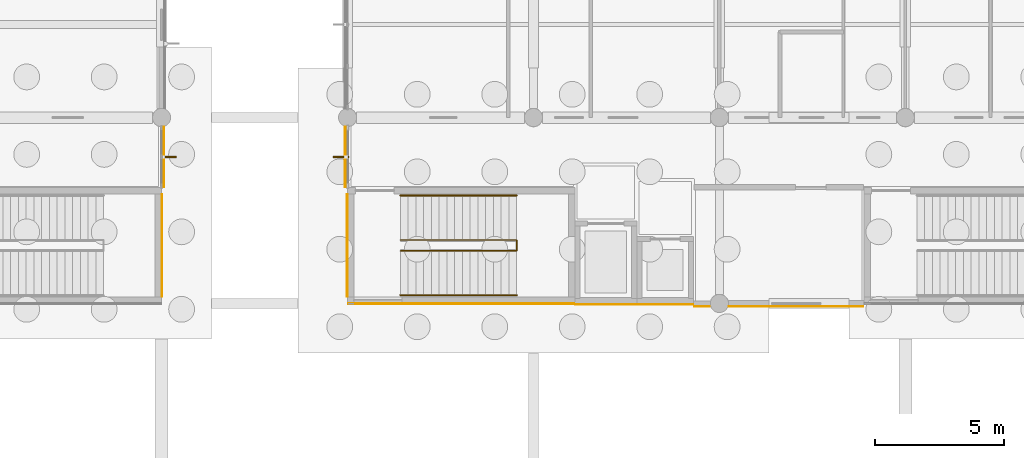
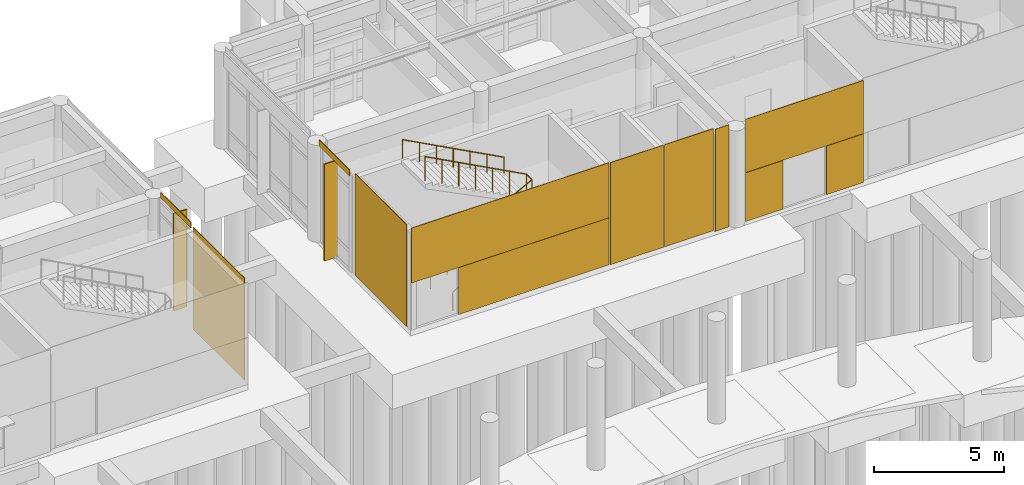
# One storey, part 95 of 103: 12 coverings, 3 railings, 2 shading devices.
"""IFC4 building model written with IfcOpenShell, lengths in metres."""

from ifc_helpers import new_model, si_unit, direction, frame, origin, origin_2d, place, context, subcontext, project, spatial, rectangle, circle, extrude, material, layer, layer_set, type_object, element, save


model = new_model("IFC4")

# Units and contexts
model_context = context("Model", 3, precision=1e-05, world=origin(), true_north=direction((0.0, 1.0)))
body_context = subcontext(model_context, "Body", "Model", "MODEL_VIEW")
ifc_project = project(units=[si_unit("LENGTHUNIT", "METRE"), si_unit("AREAUNIT", "SQUARE_METRE"), si_unit("VOLUMEUNIT", "CUBIC_METRE"), si_unit("PLANEANGLEUNIT", "RADIAN"), si_unit("MASSUNIT", "GRAM", prefix="KILO")], contexts=[model_context])

# Site, building, storey
site_placement = place(None, origin())
site = spatial("IfcSite", under=ifc_project, at=site_placement, CompositionType="ELEMENT")
building_placement = place(site_placement, origin())
building = spatial("IfcBuilding", under=site, at=building_placement, Name="Namkhue Oval Health Centre", CompositionType="ELEMENT")
storey_placement = place(building_placement, origin())
storey = spatial("IfcBuildingStorey", under=building, at=storey_placement, Name="L00", CompositionType="ELEMENT", Elevation=0.0)

# Railings
ifc_material_1 = material(Name="Brushed stainless steel 316L balustrade with laminated glass infill", Category="steel")
railing_type_1 = type_object("IfcRailingType", Name="INTERIOR BALUSTRADE GUARD 1150", PredefinedType="BALUSTRADE", material=ifc_material_1)
railing_1_placement = place(storey_placement, frame((95.64990234375, 92.0400390625, 0.0)))
element("IfcRailing", 1, at=railing_1_placement, inside=storey, type_object=railing_type_1, Name="Stair ST-05 L00 Inner Well Guard", PredefinedType="BALUSTRADE", context=body_context, shape_type="SweptSolid", body=[
    extrude(circle(Radius=0.02392578125, at=origin_2d()), frame((0.0, 0.0, 1.1259765625), z_axis=(0.882360891967, 0.0, 0.470573327259), x_axis=(0.0, 1.0, 0.0)), (0.0, 0.0, 1.0), 5.099853515625),
    extrude(circle(Radius=0.02392578125, at=origin_2d()), frame((4.5, 0.0, 3.52587890625), z_axis=(0.0, 1.0, 0.0), x_axis=(-1.0, 0.0, 0.0)), (0.0, 0.0, 1.0), 0.419921875),
    extrude(circle(Radius=0.02392578125, at=origin_2d()), frame((4.5, 0.419921875, 3.52587890625), z_axis=(-0.882341014787, 0.0, 0.470610596591), x_axis=(0.0, -1.0, 0.0)), (0.0, 0.0, 1.0), 5.10009765625),
    extrude(circle(Radius=0.02099609375, at=origin_2d()), origin(), (0.0, 0.0, 1.0), 1.101806640625),
    extrude(circle(Radius=0.02099609375, at=origin_2d()), frame((0.75, 0.0, 0.39990234375)), (0.0, 0.0, 1.0), 1.101806640625),
    extrude(circle(Radius=0.02099609375, at=origin_2d()), frame((1.5, 0.0, 0.800048828125)), (0.0, 0.0, 1.0), 1.101806640625),
    extrude(circle(Radius=0.02099609375, at=origin_2d()), frame((2.25, 0.0, 1.199951171875)), (0.0, 0.0, 1.0), 1.101806640625),
    extrude(circle(Radius=0.02099609375, at=origin_2d()), frame((3.0, 0.0, 1.599853515625)), (0.0, 0.0, 1.0), 1.101806640625),
    extrude(circle(Radius=0.02099609375, at=origin_2d()), frame((3.75, 0.0, 2.0)), (0.0, 0.0, 1.0), 1.101806640625),
    extrude(circle(Radius=0.02099609375, at=origin_2d()), frame((4.5, 0.0, 2.39990234375)), (0.0, 0.0, 1.0), 1.101806640625),
    extrude(circle(Radius=0.02099609375, at=origin_2d()), frame((4.5, 0.419921875, 2.39990234375)), (0.0, 0.0, 1.0), 1.101806640625),
    extrude(circle(Radius=0.02099609375, at=origin_2d()), frame((3.75, 0.419921875, 2.7998046875)), (0.0, 0.0, 1.0), 1.101806640625),
    extrude(circle(Radius=0.02099609375, at=origin_2d()), frame((3.0, 0.419921875, 3.199951171875)), (0.0, 0.0, 1.0), 1.101806640625),
    extrude(circle(Radius=0.02099609375, at=origin_2d()), frame((2.25, 0.419921875, 3.60009765625)), (0.0, 0.0, 1.0), 1.101806640625),
    extrude(circle(Radius=0.02099609375, at=origin_2d()), frame((1.5, 0.419921875, 4.0)), (0.0, 0.0, 1.0), 1.101806640625),
    extrude(circle(Radius=0.02099609375, at=origin_2d()), frame((0.75, 0.419921875, 4.39990234375)), (0.0, 0.0, 1.0), 1.101806640625),
    extrude(circle(Radius=0.02099609375, at=origin_2d()), frame((0.0, 0.419921875, 4.800048828125)), (0.0, 0.0, 1.0), 1.101806640625),
])
ifc_material_2 = material(Name="Brushed stainless steel 304 tubular handrail", Category="steel")
railing_type_2 = type_object("IfcRailingType", Name="INTERIOR STAIR HANDRAIL 900", PredefinedType="HANDRAIL", material=ifc_material_2)
railing_2_placement = place(storey_placement, frame((95.64990234375, 90.320068359375, 0.0)))
element("IfcRailing", 2, at=railing_2_placement, inside=storey, type_object=railing_type_2, Name="Stair ST-05 L00 Flight 1 Handrail", PredefinedType="HANDRAIL", context=body_context, shape_type="SweptSolid", body=[
    extrude(circle(Radius=0.02392578125, at=origin_2d()), frame((0.0, 0.0, 0.8759765625), z_axis=(0.882360891967, 0.0, 0.470573327259), x_axis=(0.0, 1.0, 0.0)), (0.0, 0.0, 1.0), 5.099853515625),
    extrude(circle(Radius=0.02099609375, at=origin_2d()), origin(), (0.0, 0.0, 1.0), 0.851806640625),
    extrude(circle(Radius=0.02099609375, at=origin_2d()), frame((0.75, 0.0, 0.39990234375)), (0.0, 0.0, 1.0), 0.851806640625),
    extrude(circle(Radius=0.02099609375, at=origin_2d()), frame((1.5, 0.0, 0.800048828125)), (0.0, 0.0, 1.0), 0.851806640625),
    extrude(circle(Radius=0.02099609375, at=origin_2d()), frame((2.25, 0.0, 1.199951171875)), (0.0, 0.0, 1.0), 0.851806640625),
    extrude(circle(Radius=0.02099609375, at=origin_2d()), frame((3.0, 0.0, 1.599853515625)), (0.0, 0.0, 1.0), 0.851806640625),
    extrude(circle(Radius=0.02099609375, at=origin_2d()), frame((3.75, 0.0, 2.0)), (0.0, 0.0, 1.0), 0.851806640625),
    extrude(circle(Radius=0.02099609375, at=origin_2d()), frame((4.5, 0.0, 2.39990234375)), (0.0, 0.0, 1.0), 0.851806640625),
])
railing_3_placement = place(storey_placement, frame((100.14990234375, 94.179931640625, 2.39990234375)))
element("IfcRailing", 3, at=railing_3_placement, inside=storey, type_object=railing_type_2, Name="Stair ST-05 L00 Flight 2 Handrail", PredefinedType="HANDRAIL", context=body_context, shape_type="SweptSolid", body=[
    extrude(circle(Radius=0.02392578125, at=origin_2d()), frame((0.0, 0.0, 0.8759765625), z_axis=(-0.882341014787, 0.0, 0.470610596591), x_axis=(0.0, -1.0, 0.0)), (0.0, 0.0, 1.0), 5.10009765625),
    extrude(circle(Radius=0.02099609375, at=origin_2d()), origin(), (0.0, 0.0, 1.0), 0.851806640625),
    extrude(circle(Radius=0.02099609375, at=origin_2d()), frame((-0.75, 0.0, 0.39990234375)), (0.0, 0.0, 1.0), 0.851806640625),
    extrude(circle(Radius=0.02099609375, at=origin_2d()), frame((-1.5, 0.0, 0.800048828125)), (0.0, 0.0, 1.0), 0.851806640625),
    extrude(circle(Radius=0.02099609375, at=origin_2d()), frame((-2.25, 0.0, 1.2001953125)), (0.0, 0.0, 1.0), 0.851806640625),
    extrude(circle(Radius=0.02099609375, at=origin_2d()), frame((-3.0, 0.0, 1.60009765625)), (0.0, 0.0, 1.0), 0.851806640625),
    extrude(circle(Radius=0.02099609375, at=origin_2d()), frame((-3.75, 0.0, 2.0)), (0.0, 0.0, 1.0), 0.851806640625),
    extrude(circle(Radius=0.02099609375, at=origin_2d()), frame((-4.5, 0.0, 2.400146484375)), (0.0, 0.0, 1.0), 0.851806640625),
])

# Shading devices
ifc_material_3 = material(Name="Anodised aluminium EN AW-6063 T6", Category="aluminium")
shading_device_type = type_object("IfcShadingDeviceType", Name="VERTICAL SOLAR FIN 600", PredefinedType="USERDEFINED", material=ifc_material_3)
shading_device_1_placement = place(storey_placement, frame((86.659912109375, 95.678466796875, 0.0), z_axis=(0.0, 0.0, 1.0), x_axis=(1.0, 0.0, 0.0)))
element("IfcShadingDevice", 4, at=shading_device_1_placement, inside=storey, type_object=shading_device_type, Name="Volume V2 L00 Extruded Aluminium Solar Fin 46", ObjectType="SOLAR FIN", PredefinedType="USERDEFINED", context=body_context, shape_type="SweptSolid", body=[
    extrude(rectangle(XDim=0.60009765625, YDim=0.06005859375, at=origin_2d()), origin(), (0.0, 0.0, 1.0), 4.56005859375),
])
shading_device_2_placement = place(storey_placement, frame((93.340087890625, 95.678466796875, 0.0), z_axis=(0.0, 0.0, 1.0), x_axis=(-1.0, 0.0, 0.0)))
element("IfcShadingDevice", 5, at=shading_device_2_placement, inside=storey, type_object=shading_device_type, Name="Volume V3 L00 Extruded Aluminium Solar Fin 129", ObjectType="SOLAR FIN", PredefinedType="USERDEFINED", context=body_context, shape_type="SweptSolid", body=[
    extrude(rectangle(XDim=0.60009765625, YDim=0.06005859375, at=origin_2d()), origin(), (0.0, 0.0, 1.0), 4.534912109375),
])

# Coverings
ifc_material_4 = material(Name="White glass-fibre reinforced concrete GRC rainscreen cladding", Category="concrete")
ifc_layer = layer(ifc_material_4, 0.02490234375)
ifc_layer_set = layer_set([ifc_layer], Name="White glass-fibre reinforced concrete GRC rainscreen cladding")
covering_type = type_object("IfcCoveringType", Name="WHITE GRC RAINSCREEN CLADDING 25", PredefinedType="CLADDING", material=ifc_layer_set)
covering_1_placement = place(storey_placement, frame((86.488525390625, 95.678466796875, 4.545166015625), z_axis=(0.0, 0.0, 1.0), x_axis=(0.0, 1.0, 0.0)))
element("IfcCovering", 6, at=covering_1_placement, inside=storey, type_object=covering_type, Name="Volume V2 L00 Curtain Wall Spandrel Cladding 37", PredefinedType="CLADDING", context=body_context, shape_type="SweptSolid", body=[
    extrude(rectangle(XDim=2.343017578125, YDim=0.02490234375, at=origin_2d()), origin(), (0.0, 0.0, 1.0), 0.2548828125),
])
covering_2_placement = place(storey_placement, frame((107.32861328125, 89.883056640625, 0.009765625), z_axis=(0.0, 0.0, 1.0), x_axis=(1.0, 0.0, 0.0)))
element("IfcCovering", 7, at=covering_2_placement, inside=storey, type_object=covering_type, Name="Volume V3 L00 Facade 52 White GRC Cladding 1", PredefinedType="CLADDING", context=body_context, shape_type="SweptSolid", body=[
    extrude(rectangle(XDim=0.613037109375, YDim=0.02490234375, at=origin_2d()), origin(), (0.0, 0.0, 1.0), 4.780029296875),
])
covering_3_placement = place(storey_placement, frame((110.971435546875, 89.8779296875, 2.294921875), z_axis=(0.0, 0.0, 1.0), x_axis=(1.0, 0.0, 0.0)))
element("IfcCovering", 8, at=covering_3_placement, inside=storey, type_object=covering_type, Name="Volume V3 L00 Facade 53 White GRC Cladding 1", PredefinedType="CLADDING", context=body_context, shape_type="SweptSolid", body=[
    extrude(rectangle(XDim=5.212890625, YDim=0.02490234375, at=origin_2d()), origin(), (0.0, 0.0, 1.0), 2.4951171875),
])
for number, where, z_axis, x_axis, name in (
    (9, (109.185791015625, 89.8779296875, 0.009765625), (0.0, 0.0, 1.0), (1.0, 0.0, 0.0), "Volume V3 L00 Facade 53 White GRC Cladding 2"),
    (10, (112.757080078125, 89.8779296875, 0.009765625), (0.0, 0.0, 1.0), (1.0, 0.0, 0.0), "Volume V3 L00 Facade 53 White GRC Cladding 3"),
):
    element("IfcCovering", number, at=place(storey_placement, frame(where, z_axis=z_axis, x_axis=x_axis)), inside=storey, type_object=covering_type, Name=name, PredefinedType="CLADDING", context=body_context, shape_type="SweptSolid", body=[
        extrude(rectangle(XDim=1.6416015625, YDim=0.02490234375, at=origin_2d()), origin(), (0.0, 0.0, 1.0), 2.280029296875),
    ])
covering_4_placement = place(storey_placement, frame((93.511474609375, 95.678466796875, 4.52001953125), z_axis=(0.0, 0.0, 1.0), x_axis=(0.0, -1.0, 0.0)))
element("IfcCovering", 11, at=covering_4_placement, inside=storey, type_object=covering_type, Name="Volume V3 L00 Curtain Wall Spandrel Cladding 100", PredefinedType="CLADDING", context=body_context, shape_type="SweptSolid", body=[
    extrude(rectangle(XDim=2.343017578125, YDim=0.02490234375, at=origin_2d()), origin(), (0.0, 0.0, 1.0), 0.280029296875),
])
covering_5_placement = place(storey_placement, frame((86.412109375, 92.25, 0.009765625), z_axis=(0.0, 0.0, 1.0), x_axis=(0.0, 1.0, 0.0)))
element("IfcCovering", 12, at=covering_5_placement, inside=storey, type_object=covering_type, Name="Core SC-04 L00 Core E White GRC Cladding 1", PredefinedType="CLADDING", context=body_context, shape_type="SweptSolid", body=[
    extrude(rectangle(XDim=3.9599609375, YDim=0.02490234375, at=origin_2d()), origin(), (0.0, 0.0, 1.0), 4.780029296875),
])
covering_6_placement = place(storey_placement, frame((98.0, 89.988037109375, 2.21484375), z_axis=(0.0, 0.0, 1.0), x_axis=(1.0, 0.0, 0.0)))
element("IfcCovering", 13, at=covering_6_placement, inside=storey, type_object=covering_type, Name="Core SC-05 L00 Core S White GRC Cladding 1", PredefinedType="CLADDING", context=body_context, shape_type="SweptSolid", body=[
    extrude(rectangle(XDim=8.760009765625, YDim=0.02490234375, at=origin_2d()), origin(), (0.0, 0.0, 1.0), 2.574951171875),
])
covering_7_placement = place(storey_placement, frame((99.047607421875, 89.988037109375, 0.01025390625), z_axis=(0.0, 0.0, 1.0), x_axis=(1.0, 0.0, 0.0)))
element("IfcCovering", 14, at=covering_7_placement, inside=storey, type_object=covering_type, Name="Core SC-05 L00 Core S White GRC Cladding 3", PredefinedType="CLADDING", context=body_context, shape_type="SweptSolid", body=[
    extrude(rectangle(XDim=6.6650390625, YDim=0.02490234375, at=origin_2d()), origin(), (0.0, 0.0, 1.0), 2.199951171875),
])
covering_8_placement = place(storey_placement, frame((93.587890625, 92.25, 0.009765625), z_axis=(0.0, 0.0, 1.0), x_axis=(0.0, -1.0, 0.0)))
element("IfcCovering", 15, at=covering_8_placement, inside=storey, type_object=covering_type, Name="Core SC-05 L00 Core W White GRC Cladding 1", PredefinedType="CLADDING", context=body_context, shape_type="SweptSolid", body=[
    extrude(rectangle(XDim=3.9599609375, YDim=0.02490234375, at=origin_2d()), origin(), (0.0, 0.0, 1.0), 4.780029296875),
])
covering_9_placement = place(storey_placement, frame((103.60009765625, 89.962890625, 0.009765625), z_axis=(0.0, 0.0, 1.0), x_axis=(1.0, 0.0, 0.0)))
element("IfcCovering", 16, at=covering_9_placement, inside=storey, type_object=covering_type, Name="Lift LF-03 L00 S White GRC Cladding 1", PredefinedType="CLADDING", context=body_context, shape_type="SweptSolid", body=[
    extrude(rectangle(XDim=2.360107421875, YDim=0.02490234375, at=origin_2d()), origin(), (0.0, 0.0, 1.0), 4.780029296875),
])
covering_10_placement = place(storey_placement, frame((105.89990234375, 89.962890625, 0.009765625), z_axis=(0.0, 0.0, 1.0), x_axis=(1.0, 0.0, 0.0)))
element("IfcCovering", 17, at=covering_10_placement, inside=storey, type_object=covering_type, Name="Lift LF-04 L00 S White GRC Cladding 1", PredefinedType="CLADDING", context=body_context, shape_type="SweptSolid", body=[
    extrude(rectangle(XDim=2.159912109375, YDim=0.02490234375, at=origin_2d()), origin(), (0.0, 0.0, 1.0), 4.780029296875),
])

save(model, "model.ifc")
